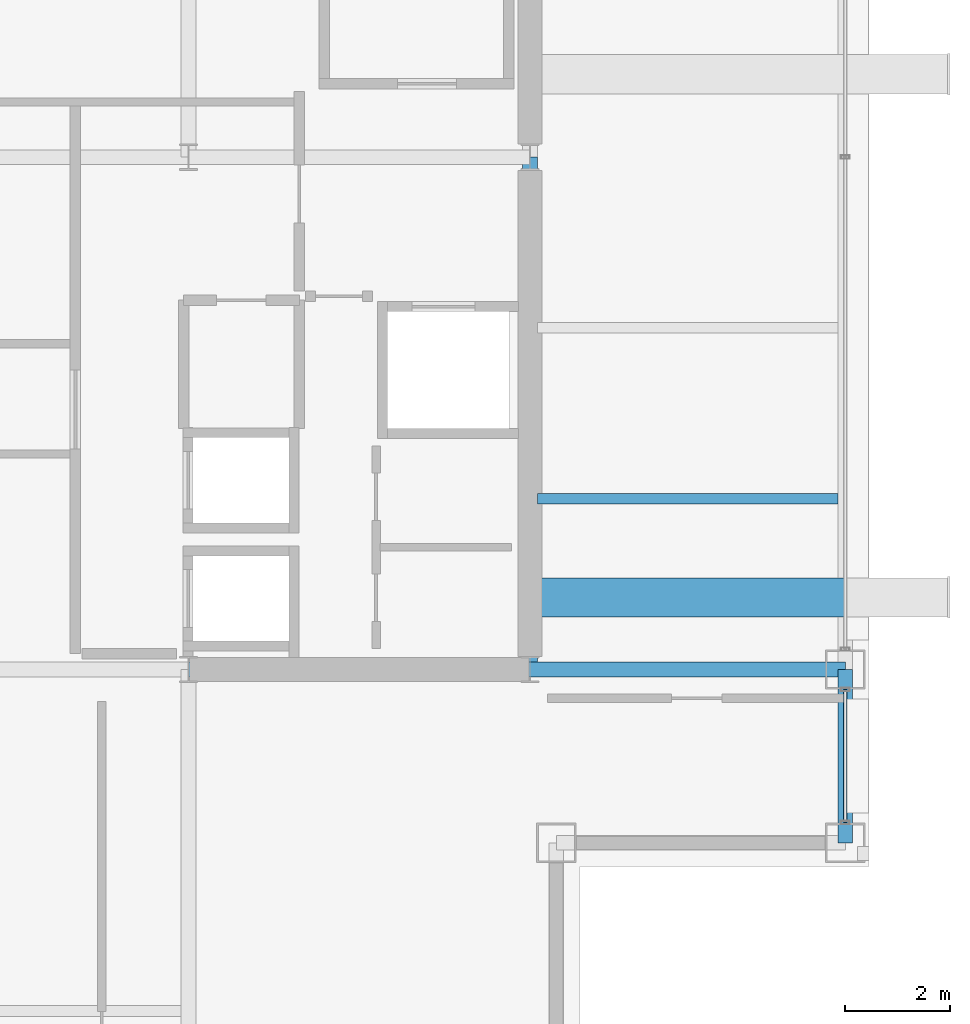
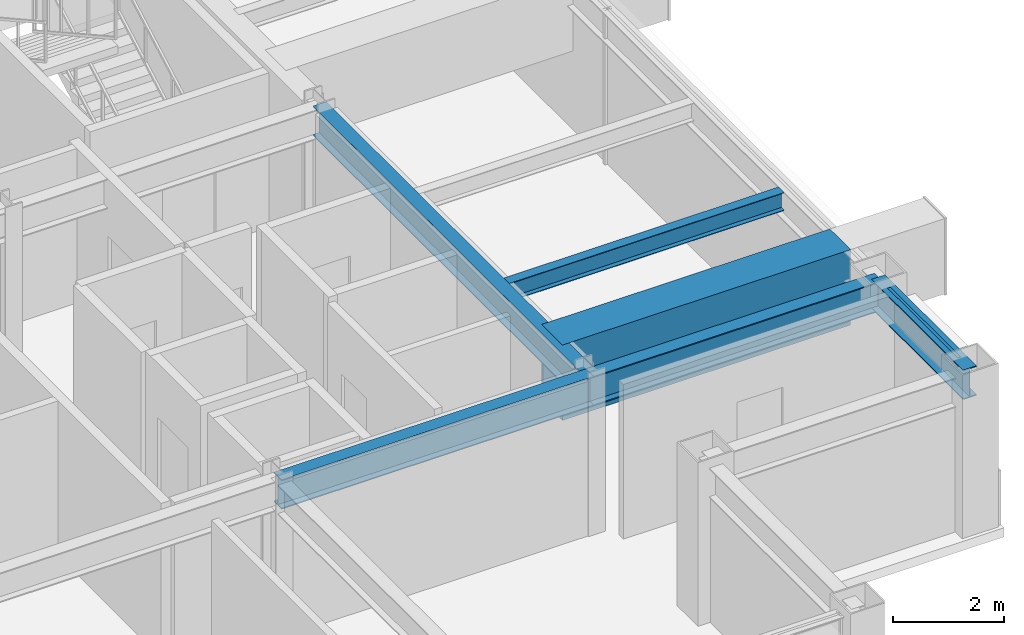
# One storey, part 12 of 26: 6 beams, 1 member, 1 element without a shape of its own.
"""IFC4 building model written with IfcOpenShell, lengths in metres."""

from ifc_helpers import new_model, si_unit, direction, frame, origin, origin_2d, place, context, subcontext, project, spatial, hollow_rectangle, i_section, extrude, material, layer, layer_set, material_profile, profile_set, type_object, element, aggregate, save


model = new_model("IFC4")

# Units and contexts
model_context = context("Model", 3, precision=1e-05, world=origin(), true_north=direction((0.0, 1.0)))
body_context = subcontext(model_context, "Body", "Model", "MODEL_VIEW")
ifc_project = project(units=[si_unit("LENGTHUNIT", "METRE"), si_unit("AREAUNIT", "SQUARE_METRE"), si_unit("VOLUMEUNIT", "CUBIC_METRE"), si_unit("PLANEANGLEUNIT", "RADIAN"), si_unit("MASSUNIT", "GRAM", prefix="KILO")], contexts=[model_context])

# Site, building, storey
site_placement = place(None, origin())
site = spatial("IfcSite", under=ifc_project, at=site_placement, CompositionType="ELEMENT")
building_placement = place(site_placement, origin())
building = spatial("IfcBuilding", under=site, at=building_placement, Name="Brelmoor Portico Tower", CompositionType="ELEMENT")
storey_placement = place(building_placement, frame((0.0, 0.0, 180.300048828125)))
storey = spatial("IfcBuildingStorey", under=building, at=storey_placement, Name="L47", CompositionType="ELEMENT", Elevation=180.300048828125)

# Beams
ifc_material_1 = material(Name="Steel Q355B", Category="steel")
ifc_material_profile_1 = material_profile(ifc_material_1, i_section(OverallWidth=0.199951171875, OverallDepth=0.39990234375, WebThickness=0.008056640625, FlangeThickness=0.012939453125, at=origin_2d()), Name="HN 400x200x8x13")
ifc_profile_set_1 = profile_set([ifc_material_profile_1], Name="Steel Q355B")
beam_type_1 = type_object("IfcBeamType", Name="BM-JS-400", PredefinedType="JOIST", material=ifc_profile_set_1)
beam_1_placement = place(storey_placement, frame((14.68994140625, -6.5, 3.199951171875), z_axis=(1.0, 0.0, 0.0), x_axis=(0.0, 1.0, 0.0)))
element("IfcBeam", 1, at=beam_1_placement, inside=storey, type_object=beam_type_1, Name="L47 Secondary Wing Joist JS-E09", PredefinedType="JOIST", context=body_context, shape_type="SweptSolid", body=[
    extrude(i_section(OverallWidth=0.199951171875, OverallDepth=0.39990234375, WebThickness=0.008056640625, FlangeThickness=0.012939453125, at=origin_2d()), origin(), (0.0, 0.0, 1.0), 5.719970703125),
])
ifc_material_profile_2 = material_profile(ifc_material_1, i_section(OverallWidth=0.280029296875, OverallDepth=0.64990234375, WebThickness=0.012939453125, FlangeThickness=0.02197265625, at=origin_2d()), Name="HN 650x280x13x22")
ifc_profile_set_2 = profile_set([ifc_material_profile_2], Name="Steel Q355B")
beam_type_2 = type_object("IfcBeamType", Name="BM-PG-650", PredefinedType="BEAM", material=ifc_profile_set_2)
beam_2_placement = place(storey_placement, frame((14.550048828125, -9.75, 3.074951171875), z_axis=(0.0, 1.0, 0.0), x_axis=(-1.0, 0.0, 0.0)))
element("IfcBeam", 2, at=beam_2_placement, inside=storey, type_object=beam_type_2, Name="L47 Primary Floor Girder PG-09", PredefinedType="BEAM", context=body_context, shape_type="SweptSolid", body=[
    extrude(i_section(OverallWidth=0.280029296875, OverallDepth=0.64990234375, WebThickness=0.012939453125, FlangeThickness=0.02197265625, at=origin_2d()), origin(), (0.0, 0.0, 1.0), 9.75),
])
beam_3_placement = place(storey_placement, frame((8.050048828125, -9.75, 3.074951171875), z_axis=(1.0, 0.0, 0.0), x_axis=(0.0, 1.0, 0.0)))
element("IfcBeam", 3, at=beam_3_placement, inside=storey, type_object=beam_type_2, Name="L47 Primary Floor Girder PG-14", PredefinedType="BEAM", context=body_context, shape_type="SweptSolid", body=[
    extrude(i_section(OverallWidth=0.280029296875, OverallDepth=0.64990234375, WebThickness=0.012939453125, FlangeThickness=0.02197265625, at=origin_2d()), origin(), (0.0, 0.0, 1.0), 6.5),
])
beam_4_placement = place(storey_placement, frame((14.550048828125, -9.75, 3.074951171875), z_axis=(1.0, 0.0, 0.0), x_axis=(0.0, 1.0, 0.0)))
element("IfcBeam", 4, at=beam_4_placement, inside=storey, type_object=beam_type_2, Name="L47 Primary Floor Girder PG-15", PredefinedType="BEAM", context=body_context, shape_type="SweptSolid", body=[
    extrude(i_section(OverallWidth=0.280029296875, OverallDepth=0.64990234375, WebThickness=0.012939453125, FlangeThickness=0.02197265625, at=origin_2d()), origin(), (0.0, 0.0, 1.0), 6.0),
])
ifc_material_profile_3 = material_profile(ifc_material_1, i_section(OverallWidth=0.280029296875, OverallDepth=0.64990234375, WebThickness=0.012939453125, FlangeThickness=0.02197265625, at=origin_2d()), Name="HN 650x280x13x22")
ifc_profile_set_3 = profile_set([ifc_material_profile_3], Name="Steel Q355B")
beam_type_3 = type_object("IfcBeamType", Name="BM-SP-650", PredefinedType="SPANDREL", material=ifc_profile_set_3)
beam_5_placement = place(storey_placement, frame((20.550048828125, -13.050048828125, 3.074951171875), z_axis=(0.0, 1.0, 0.0), x_axis=(-1.0, 0.0, 0.0)))
element("IfcBeam", 5, at=beam_5_placement, inside=storey, type_object=beam_type_3, Name="L47 Perimeter Spandrel Beam SP-18", PredefinedType="SPANDREL", context=body_context, shape_type="SweptSolid", body=[
    extrude(i_section(OverallWidth=0.280029296875, OverallDepth=0.64990234375, WebThickness=0.012939453125, FlangeThickness=0.02197265625, at=origin_2d()), origin(), (0.0, 0.0, 1.0), 3.300048828125),
])
ifc_material_profile_4 = material_profile(ifc_material_1, hollow_rectangle(XDim=0.75, YDim=1.659912109375, WallThickness=0.0419921875, at=origin_2d()), Name="BOX 750x1660x42")
ifc_profile_set_4 = profile_set([ifc_material_profile_4], Name="Steel Q355B")
beam_type_4 = type_object("IfcBeamType", Name="BM-TG-Z2", PredefinedType="BEAM", material=ifc_profile_set_4)
beam_6_placement = place(storey_placement, frame((14.550048828125, -8.3798828125, 2.570068359375), z_axis=(1.0, 0.0, 0.0), x_axis=(0.0, 1.0, 0.0)))
element("IfcBeam", 6, at=beam_6_placement, inside=storey, type_object=beam_type_4, Name="L47 Picture-Frame Backspan Transfer Girder PFBS-01", PredefinedType="BEAM", context=body_context, shape_type="SweptSolid", body=[
    extrude(hollow_rectangle(XDim=0.75, YDim=1.659912109375, WallThickness=0.0419921875, at=origin_2d()), origin(), (0.0, 0.0, 1.0), 6.0),
])

# Curtain wall, member
ifc_material_2 = material(Name="Anodised Aluminium Alloy 6063-T6", Category="aluminium")
ifc_layer = layer(ifc_material_2, 0.179931640625)
ifc_layer_set = layer_set([ifc_layer], Name="Anodised Aluminium Alloy 6063-T6")
curtain_wall_type = type_object("IfcCurtainWallType", Name="CW-TOWER-Z3-XB", PredefinedType="NOTDEFINED", material=ifc_layer_set)
curtain_wall_placement = place(storey_placement, origin())
curtain_wall = element("IfcCurtainWall", 7, at=curtain_wall_placement, inside=storey, type_object=curtain_wall_type, Name="L47 Curtain Wall CW-L47-04-1", PredefinedType="NOTDEFINED")
ifc_material_profile_5 = material_profile(ifc_material_2, hollow_rectangle(XDim=0.06005859375, YDim=0.125, WallThickness=0.00341796875, at=origin_2d()), Name="ALU TRANSOM 60x125")
ifc_profile_set_5 = profile_set([ifc_material_profile_5], Name="Anodised Aluminium Alloy 6063-T6")
member_type = type_object("IfcMemberType", Name="MB-CW-TRAN-125", PredefinedType="USERDEFINED", material=ifc_profile_set_5)
member_placement = place(storey_placement, frame((20.550048828125, -12.6650390625, 3.33740234375), z_axis=(0.0, 1.0, 0.0), x_axis=(-1.0, 0.0, 0.0)))
member = element("IfcMember", 8, at=member_placement, type_object=member_type, Name="CW-L47-04-1 Transom 1-00", ObjectType="TRANSOM", PredefinedType="USERDEFINED", context=body_context, shape_type="SweptSolid", body=[
    extrude(hollow_rectangle(XDim=0.06005859375, YDim=0.125, WallThickness=0.00341796875, at=origin_2d()), origin(), (0.0, 0.0, 1.0), 2.530029296875),
])
aggregate(curtain_wall, [member])

save(model, "model.ifc")
